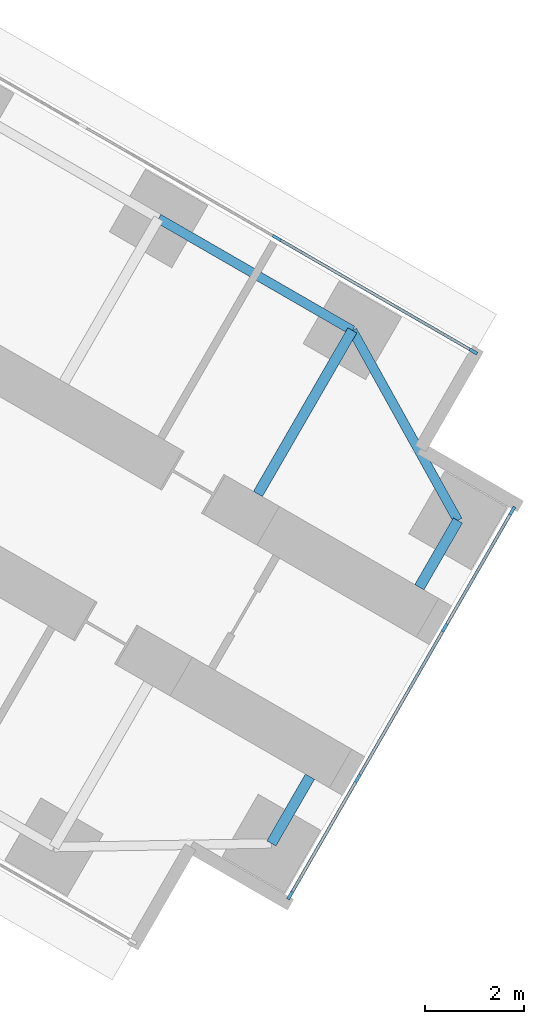
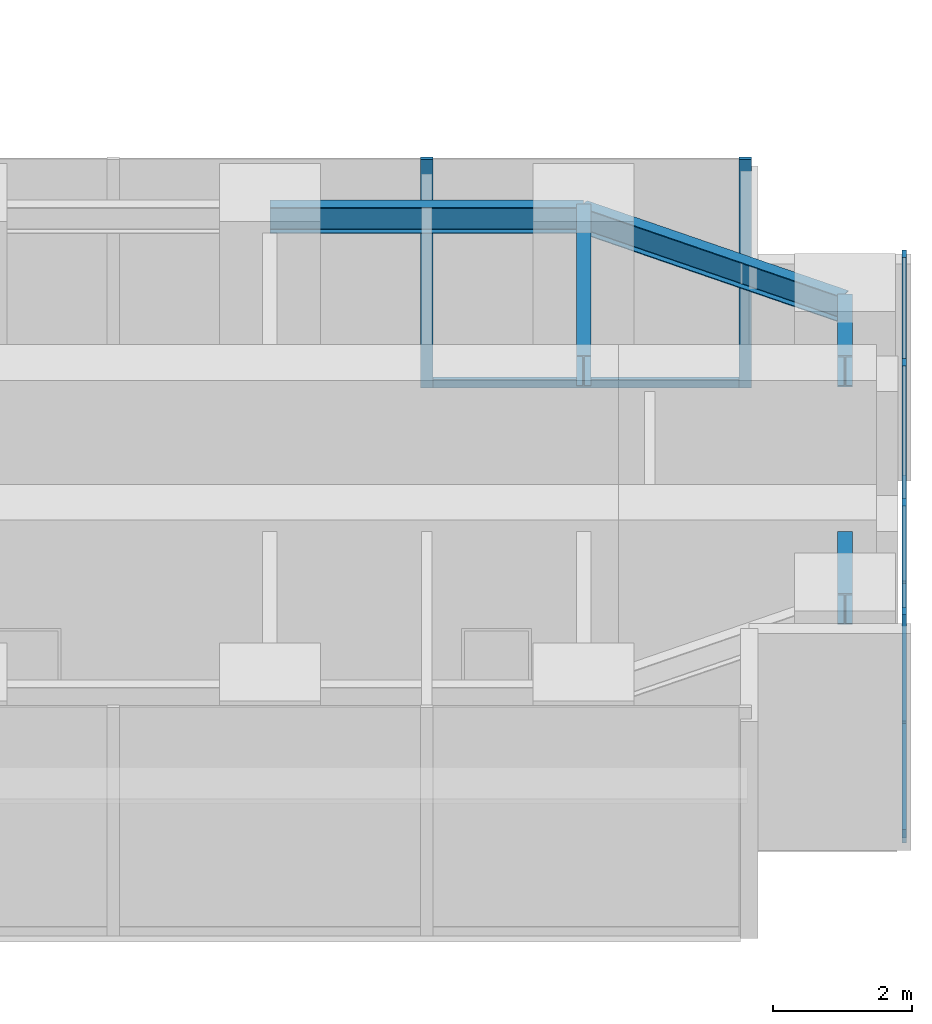
# One storey, part 12 of 24: 10 members, 5 beams, 2 elements without a shape of their own.
"""IFC4 building model written with IfcOpenShell, lengths in metres."""

from ifc_helpers import new_model, si_unit, direction, frame, origin, origin_2d, place, context, subcontext, project, spatial, rectangle, i_section, extrude, material, material_profile, profile_set, type_object, element, aggregate, save


model = new_model("IFC4")

# Units and contexts
model_context = context("Model", 3, precision=1e-05, world=origin(), true_north=direction((0.0, 1.0)))
body_context = subcontext(model_context, "Body", "Model", "MODEL_VIEW")
ifc_project = project(units=[si_unit("LENGTHUNIT", "METRE"), si_unit("AREAUNIT", "SQUARE_METRE"), si_unit("VOLUMEUNIT", "CUBIC_METRE"), si_unit("PLANEANGLEUNIT", "RADIAN"), si_unit("MASSUNIT", "GRAM", prefix="KILO")], contexts=[model_context])

# Site, building, storey
site_placement = place(None, origin())
site = spatial("IfcSite", under=ifc_project, at=site_placement, CompositionType="ELEMENT")
building_placement = place(site_placement, origin())
building = spatial("IfcBuilding", under=site, at=building_placement, Name="Upepo Twin Towers", CompositionType="ELEMENT")
storey_placement = place(building_placement, frame((0.0, 0.0, 52.5)))
storey = spatial("IfcBuildingStorey", under=building, at=storey_placement, Name="L12", CompositionType="ELEMENT", Elevation=52.5)

# Beams
ifc_material_1 = material(Name="Steel S355", Category="steel")
ifc_material_profile_1 = material_profile(ifc_material_1, i_section(OverallWidth=0.1904296875, OverallDepth=0.45703125, WebThickness=0.009033203125, FlangeThickness=0.014404296875, FilletRadius=0.01025390625, at=origin_2d()), Name="UB 457x191x74")
ifc_profile_set_1 = profile_set([ifc_material_profile_1], Name="Steel S355")
beam_type_1 = type_object("IfcBeamType", Name="Beam UB 457x191x74", PredefinedType="BEAM", material=ifc_profile_set_1)
beam_1_placement = place(storey_placement, frame((77.08837890625, -21.803955078125, 3.571533203125), z_axis=(0.866031096941, -0.499990139034, 0.0), x_axis=(0.499990139034, 0.866031096941, 0.0)))
element("IfcBeam", 1, at=beam_1_placement, inside=storey, type_object=beam_type_1, Name="T2 edge beam CL 18.0-22.5", PredefinedType="BEAM", context=body_context, shape_type="SweptSolid", body=[
    extrude(i_section(OverallWidth=0.1904296875, OverallDepth=0.45703125, WebThickness=0.009033203125, FlangeThickness=0.014404296875, FilletRadius=0.01025390625, at=origin_2d()), origin(), (0.0, 0.0, 1.0), 4.5),
])
beam_2_placement = place(storey_placement, frame((80.985595703125, -24.053955078125, 3.571533203125), z_axis=(0.485363242752, -0.874312600038, 0.0), x_axis=(0.874312600038, 0.485363242752, 0.0)))
element("IfcBeam", 2, at=beam_2_placement, inside=storey, type_object=beam_type_1, Name="T2 nose edge beam CL", PredefinedType="BEAM", context=body_context, shape_type="SweptSolid", body=[
    extrude(i_section(OverallWidth=0.1904296875, OverallDepth=0.45703125, WebThickness=0.009033203125, FlangeThickness=0.014404296875, FilletRadius=0.01025390625, at=origin_2d()), origin(), (0.0, 0.0, 1.0), 4.373046875),
])
ifc_material_2 = material(Name="Steel S355", Category="steel")
ifc_material_profile_2 = material_profile(ifc_material_2, i_section(OverallWidth=0.2119140625, OverallDepth=0.54443359375, WebThickness=0.0126953125, FlangeThickness=0.021240234375, FilletRadius=0.0126953125, at=origin_2d()), Name="UB 533x210x122")
ifc_profile_set_2 = profile_set([ifc_material_profile_2], Name="Steel S355")
beam_type_2 = type_object("IfcBeamType", Name="Beam UB 533x210x122", PredefinedType="BEAM", material=ifc_profile_set_2)
for number, where, z_axis, x_axis, name in (
    (3, (83.108154296875, -27.87744140625, 3.52783203125), (-0.499967891604, -0.866043940782, 0.0), (0.866043940782, -0.499967891604, 0.0), "T2 nose beam CL"),
    (4, (79.358154296875, -34.37255859375, 3.52783203125), (0.499967891604, 0.866043940782, 0.0), (-0.866043940782, 0.499967891604, 0.0), "T2 nose beam CR"),
):
    element("IfcBeam", number, at=place(storey_placement, frame(where, z_axis=z_axis, x_axis=x_axis)), inside=storey, type_object=beam_type_2, Name=name, PredefinedType="BEAM", context=body_context, shape_type="SweptSolid", body=[
        extrude(i_section(OverallWidth=0.2119140625, OverallDepth=0.54443359375, WebThickness=0.0126953125, FlangeThickness=0.021240234375, FilletRadius=0.0126953125, at=origin_2d()), origin(), (0.0, 0.0, 1.0), 1.5498046875),
    ])
ifc_material_3 = material(Name="Steel S355", Category="steel")
ifc_material_profile_3 = material_profile(ifc_material_3, i_section(OverallWidth=0.209228515625, OverallDepth=0.533203125, WebThickness=0.010009765625, FlangeThickness=0.015625, FilletRadius=0.0126953125, at=origin_2d()), Name="UB 533x210x92")
ifc_profile_set_3 = profile_set([ifc_material_profile_3], Name="Steel S355")
beam_type_3 = type_object("IfcBeamType", Name="Beam UB 533x210x92", PredefinedType="BEAM", material=ifc_profile_set_3)
beam_3_placement = place(storey_placement, frame((80.985595703125, -24.053955078125, 3.533447265625), z_axis=(-0.499994975061, -0.866028304915, 0.0), x_axis=(0.866028304915, -0.499994975061, 0.0)))
element("IfcBeam", 5, at=beam_3_placement, inside=storey, type_object=beam_type_3, Name="T2 girder CL at 22.5", PredefinedType="BEAM", context=body_context, shape_type="SweptSolid", body=[
    extrude(i_section(OverallWidth=0.209228515625, OverallDepth=0.533203125, WebThickness=0.010009765625, FlangeThickness=0.015625, FilletRadius=0.0126953125, at=origin_2d()), origin(), (0.0, 0.0, 1.0), 3.7998046875),
])

# Curtain wall, members
ifc_material_4 = material(Name="Aluminium and fritted glass", Category="aluminium")
curtain_wall_type = type_object("IfcCurtainWallType", Name="Tower curtain wall TW1, fritted glass", PredefinedType="NOTDEFINED", material=ifc_material_4)
curtain_wall_1_placement = place(storey_placement, origin())
curtain_wall_1 = element("IfcCurtainWall", 6, at=curtain_wall_1_placement, inside=storey, type_object=curtain_wall_type, Name="T2 L12 wing C flank L curtain wall", PredefinedType="NOTDEFINED")
ifc_material_5 = material(Name="Aluminium mullion", Category="aluminium")
ifc_material_profile_4 = material_profile(ifc_material_5, rectangle(XDim=0.06494140625, YDim=0.179931640625, at=origin_2d()), Name="MULLION 65x180")
ifc_profile_set_4 = profile_set([ifc_material_profile_4], Name="Aluminium mullion")
member_type_1 = type_object("IfcMemberType", Name="Mullion 65x180 TW1", PredefinedType="MULLION", material=ifc_profile_set_4)
member_1_placement = place(storey_placement, frame((79.4619140625, -22.192626953125, 0.0), z_axis=(0.0, 0.0, 1.0), x_axis=(0.500000024426, 0.866025389682, 0.0)))
member_1 = element("IfcMember", 7, at=member_1_placement, type_object=member_type_1, Name="T2 L12 wing C flank L curtain wall mullion 3", PredefinedType="MULLION", context=body_context, shape_type="SweptSolid", body=[
    extrude(rectangle(XDim=0.06494140625, YDim=0.179931640625, at=origin_2d()), origin(), (0.0, 0.0, 1.0), 4.0),
])
member_2_placement = place(storey_placement, frame((83.41748046875, -24.4765625, 0.0), z_axis=(0.0, 0.0, 1.0), x_axis=(0.500000024426, 0.866025389682, 0.0)))
member_2 = element("IfcMember", 8, at=member_2_placement, type_object=member_type_1, Name="T2 L12 wing C flank L curtain wall mullion 4", PredefinedType="MULLION", context=body_context, shape_type="SweptSolid", body=[
    extrude(rectangle(XDim=0.06494140625, YDim=0.179931640625, at=origin_2d()), origin(), (0.0, 0.0, 1.0), 4.0),
])

curtain_wall_2_placement = place(storey_placement, origin())
curtain_wall_2 = element("IfcCurtainWall", 9, at=curtain_wall_2_placement, inside=storey, type_object=curtain_wall_type, Name="T2 L12 wing C nose curtain wall", PredefinedType="NOTDEFINED")
member_3_placement = place(storey_placement, frame((79.735595703125, -35.4189453125, 0.0), z_axis=(0.0, 0.0, 1.0), x_axis=(-0.866025386174, 0.500000030502, 0.0)))
member_3 = element("IfcMember", 10, at=member_3_placement, type_object=member_type_1, Name="T2 L12 wing C nose curtain wall mullion 1", PredefinedType="MULLION", context=body_context, shape_type="SweptSolid", body=[
    extrude(rectangle(XDim=0.06494140625, YDim=0.179931640625, at=origin_2d()), origin(), (0.0, 0.0, 1.0), 4.0),
])
member_4_placement = place(storey_placement, frame((81.09423828125, -33.0654296875, 0.0), z_axis=(0.0, 0.0, 1.0), x_axis=(-0.866025386174, 0.500000030502, 0.0)))
member_4 = element("IfcMember", 11, at=member_4_placement, type_object=member_type_1, Name="T2 L12 wing C nose curtain wall mullion 2", PredefinedType="MULLION", context=body_context, shape_type="SweptSolid", body=[
    extrude(rectangle(XDim=0.06494140625, YDim=0.179931640625, at=origin_2d()), origin(), (0.0, 0.0, 1.0), 4.0),
])
member_5_placement = place(storey_placement, frame((82.84423828125, -30.034423828125, 0.0), z_axis=(0.0, 0.0, 1.0), x_axis=(-0.866025386174, 0.500000030502, 0.0)))
member_5 = element("IfcMember", 12, at=member_5_placement, type_object=member_type_1, Name="T2 L12 wing C nose curtain wall mullion 3", PredefinedType="MULLION", context=body_context, shape_type="SweptSolid", body=[
    extrude(rectangle(XDim=0.06494140625, YDim=0.179931640625, at=origin_2d()), origin(), (0.0, 0.0, 1.0), 4.0),
])
member_6_placement = place(storey_placement, frame((84.203125, -27.68115234375, 0.0), z_axis=(0.0, 0.0, 1.0), x_axis=(-0.866025386174, 0.500000030502, 0.0)))
member_6 = element("IfcMember", 13, at=member_6_placement, type_object=member_type_1, Name="T2 L12 wing C nose curtain wall mullion 4", PredefinedType="MULLION", context=body_context, shape_type="SweptSolid", body=[
    extrude(rectangle(XDim=0.06494140625, YDim=0.179931640625, at=origin_2d()), origin(), (0.0, 0.0, 1.0), 4.0),
])

# Member
ifc_material_6 = material(Name="Aluminium transom", Category="aluminium")
ifc_material_profile_5 = material_profile(ifc_material_6, rectangle(XDim=0.06494140625, YDim=0.14990234375, at=origin_2d()), Name="TRANSOM 65x150")
ifc_profile_set_5 = profile_set([ifc_material_profile_5], Name="Aluminium transom")
member_type_2 = type_object("IfcMemberType", Name="Transom 65x150 TW1", PredefinedType="USERDEFINED", material=ifc_profile_set_5)
member_7_placement = place(storey_placement, frame((79.490234375, -22.208984375, 0.074951171875), z_axis=(0.866022143554, -0.500005646842, 0.0), x_axis=(0.500005646842, 0.866022143554, 0.0)))
member_7 = element("IfcMember", 14, at=member_7_placement, type_object=member_type_2, Name="T2 L12 wing C flank L curtain wall transom 3", ObjectType="TRANSOM", PredefinedType="USERDEFINED", context=body_context, shape_type="SweptSolid", body=[
    extrude(rectangle(XDim=0.06494140625, YDim=0.14990234375, at=origin_2d()), origin(), (0.0, 0.0, 1.0), 4.50244140625),
])

aggregate(curtain_wall_1, [member_1, member_2, member_7])

member_8_placement = place(storey_placement, frame((79.751708984375, -35.390869140625, 0.074951171875), z_axis=(0.500049101008, 0.865997053448, 0.0), x_axis=(-0.865997053448, 0.500049101008, 0.0)))
member_8 = element("IfcMember", 15, at=member_8_placement, type_object=member_type_2, Name="T2 L12 wing C nose curtain wall transom 1", ObjectType="TRANSOM", PredefinedType="USERDEFINED", context=body_context, shape_type="SweptSolid", body=[
    extrude(rectangle(XDim=0.06494140625, YDim=0.14990234375, at=origin_2d()), origin(), (0.0, 0.0, 1.0), 2.652587890625),
])

member_9_placement = place(storey_placement, frame((81.110595703125, -33.037353515625, 0.074951171875), z_axis=(0.499999305434, 0.866025804792, 0.0), x_axis=(-0.866025804792, 0.499999305434, 0.0)))
member_9 = element("IfcMember", 16, at=member_9_placement, type_object=member_type_2, Name="T2 L12 wing C nose curtain wall transom 2", ObjectType="TRANSOM", PredefinedType="USERDEFINED", context=body_context, shape_type="SweptSolid", body=[
    extrude(rectangle(XDim=0.06494140625, YDim=0.14990234375, at=origin_2d()), origin(), (0.0, 0.0, 1.0), 3.43505859375),
])

member_10_placement = place(storey_placement, frame((82.860595703125, -30.00634765625, 0.074951171875), z_axis=(0.499980071345, 0.866036909293, 0.0), x_axis=(-0.866036909293, 0.499980071345, 0.0)))
member_10 = element("IfcMember", 17, at=member_10_placement, type_object=member_type_2, Name="T2 L12 wing C nose curtain wall transom 3", ObjectType="TRANSOM", PredefinedType="USERDEFINED", context=body_context, shape_type="SweptSolid", body=[
    extrude(rectangle(XDim=0.06494140625, YDim=0.14990234375, at=origin_2d()), origin(), (0.0, 0.0, 1.0), 2.65234375),
])

aggregate(curtain_wall_2, [member_3, member_4, member_5, member_6, member_8, member_9, member_10])

save(model, "model.ifc")
